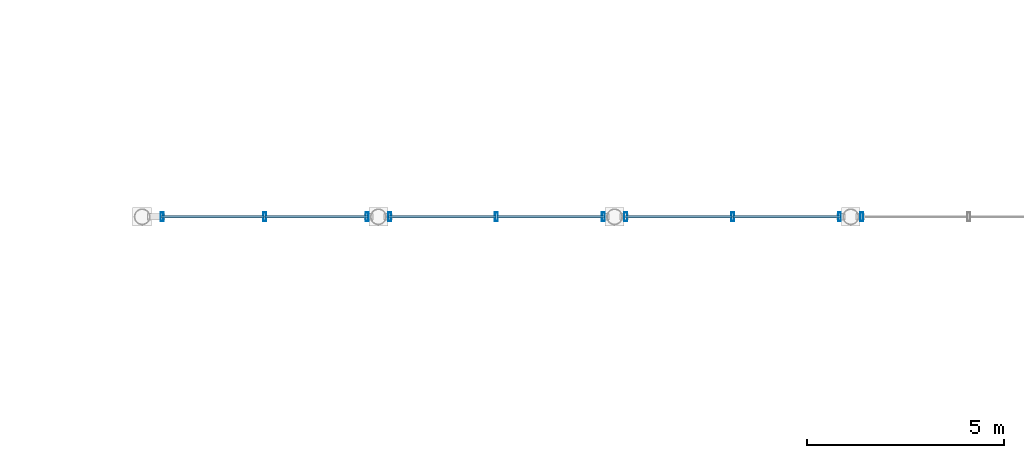
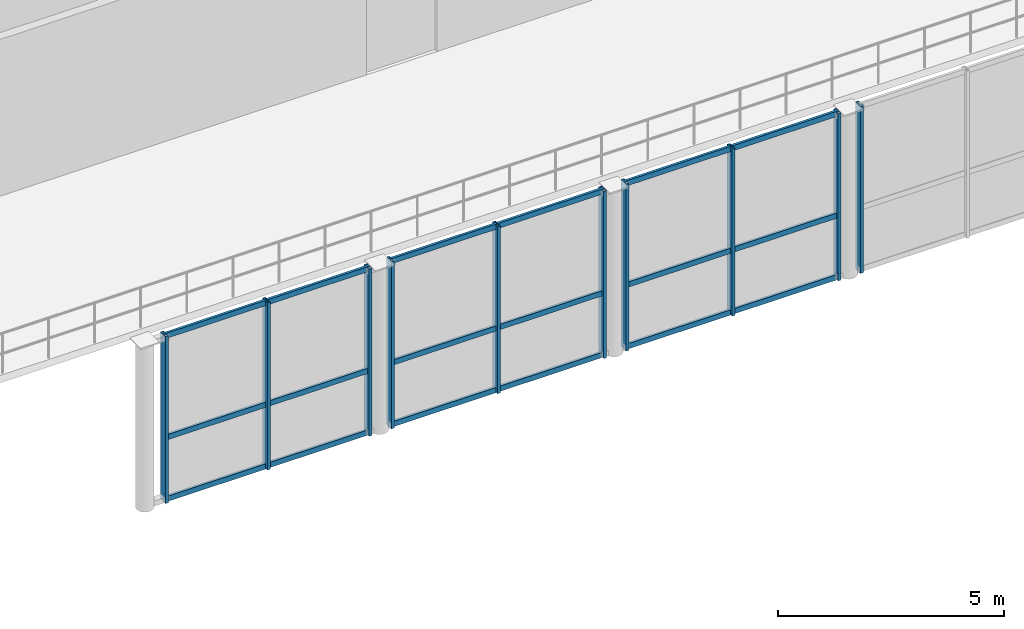
# One storey, part 18 of 116: 28 members, 4 elements without a shape of their own.
"""IFC4 building model written with IfcOpenShell, lengths in metres."""

from ifc_helpers import new_model, si_unit, direction, frame, origin, origin_2d, place, context, subcontext, project, spatial, hollow_rectangle, extrude, material, material_profile, profile_set, type_object, element, aggregate, save


model = new_model("IFC4")

# Units and contexts
model_context = context("Model", 3, precision=1e-05, world=origin(), true_north=direction((0.0, 1.0)))
body_context = subcontext(model_context, "Body", "Model", "MODEL_VIEW")
ifc_project = project(units=[si_unit("LENGTHUNIT", "METRE"), si_unit("AREAUNIT", "SQUARE_METRE"), si_unit("VOLUMEUNIT", "CUBIC_METRE"), si_unit("PLANEANGLEUNIT", "RADIAN"), si_unit("MASSUNIT", "GRAM", prefix="KILO"), si_unit("THERMODYNAMICTEMPERATUREUNIT", "KELVIN"), si_unit("POWERUNIT", "WATT")], contexts=[model_context])

# Site, building, storey
site_placement = place(None, origin())
site = spatial("IfcSite", under=ifc_project, at=site_placement, CompositionType="ELEMENT")
building_placement = place(site_placement, origin())
building = spatial("IfcBuilding", under=site, at=building_placement, Name="Phaisarnlok Congress Hotel", CompositionType="ELEMENT")
storey_placement = place(building_placement, frame((0.0, 0.0, 10.5)))
storey = spatial("IfcBuildingStorey", under=building, at=storey_placement, Name="L02", CompositionType="ELEMENT", Elevation=10.5)

# Curtain wall, members
ifc_material_1 = material(Name="Thermally Broken Unitised Aluminium & Low-E Glazing", Category="aluminium")
curtain_wall_type_1 = type_object("IfcCurtainWallType", Name="CW-UNIT-41", PredefinedType="NOTDEFINED", material=ifc_material_1)
curtain_wall_1_placement = place(storey_placement, origin())
curtain_wall_1 = element("IfcCurtainWall", 1, at=curtain_wall_1_placement, inside=storey, type_object=curtain_wall_type_1, Name="Unitised curtain wall CW-41 (L02)", PredefinedType="NOTDEFINED")
ifc_material_2 = material(Name="Anodised Aluminium Alloy 6063-T6", Category="aluminium")
ifc_material_profile_1 = material_profile(ifc_material_2, hollow_rectangle(XDim=0.074951171875, YDim=0.219970703125, WallThickness=0.0048828125, at=origin_2d()), Name="ALU-M 75x220x5")
ifc_profile_set_1 = profile_set([ifc_material_profile_1], Name="Anodised Aluminium Alloy 6063-T6")
member_type_1 = type_object("IfcMemberType", Name="CWM-220", PredefinedType="MULLION", material=ifc_profile_set_1)
member_1_placement = place(storey_placement, frame((66.5048828125, 18.0, -0.010009765625), z_axis=(0.0, 0.0, 1.0), x_axis=(1.0, 0.0, 0.0)))
member_1 = element("IfcMember", 2, at=member_1_placement, type_object=member_type_1, Name="Curtain wall mullion CWM-02", PredefinedType="MULLION", context=body_context, shape_type="SweptSolid", body=[
    extrude(hollow_rectangle(XDim=0.074951171875, YDim=0.219970703125, WallThickness=0.0048828125, at=origin_2d()), origin(), (0.0, 0.0, 1.0), 4.52001953125),
])
member_2_placement = place(storey_placement, frame((69.110107421875, 18.0, -0.010009765625), z_axis=(0.0, 0.0, 1.0), x_axis=(1.0, 0.0, 0.0)))
member_2 = element("IfcMember", 3, at=member_2_placement, type_object=member_type_1, Name="Curtain wall mullion CWM-02", PredefinedType="MULLION", context=body_context, shape_type="SweptSolid", body=[
    extrude(hollow_rectangle(XDim=0.074951171875, YDim=0.219970703125, WallThickness=0.0048828125, at=origin_2d()), origin(), (0.0, 0.0, 1.0), 4.52001953125),
])
member_3_placement = place(storey_placement, frame((71.715087890625, 18.0, -0.010009765625), z_axis=(0.0, 0.0, 1.0), x_axis=(1.0, 0.0, 0.0)))
member_3 = element("IfcMember", 4, at=member_3_placement, type_object=member_type_1, Name="Curtain wall mullion CWM-02", PredefinedType="MULLION", context=body_context, shape_type="SweptSolid", body=[
    extrude(hollow_rectangle(XDim=0.074951171875, YDim=0.219970703125, WallThickness=0.0048828125, at=origin_2d()), origin(), (0.0, 0.0, 1.0), 4.52001953125),
])

curtain_wall_type_2 = type_object("IfcCurtainWallType", Name="CW-UNIT-44", PredefinedType="NOTDEFINED", material=ifc_material_1)
curtain_wall_2_placement = place(storey_placement, origin())
curtain_wall_2 = element("IfcCurtainWall", 5, at=curtain_wall_2_placement, inside=storey, type_object=curtain_wall_type_2, Name="Unitised curtain wall CW-44 (L02)", PredefinedType="NOTDEFINED")
member_4_placement = place(storey_placement, frame((72.284912109375, 18.0, -0.010009765625), z_axis=(0.0, 0.0, 1.0), x_axis=(1.0, 0.0, 0.0)))
member_4 = element("IfcMember", 6, at=member_4_placement, type_object=member_type_1, Name="Curtain wall mullion CWM-02", PredefinedType="MULLION", context=body_context, shape_type="SweptSolid", body=[
    extrude(hollow_rectangle(XDim=0.074951171875, YDim=0.219970703125, WallThickness=0.0048828125, at=origin_2d()), origin(), (0.0, 0.0, 1.0), 4.52001953125),
])
member_5_placement = place(storey_placement, frame((75.0, 18.0, -0.010009765625), z_axis=(0.0, 0.0, 1.0), x_axis=(1.0, 0.0, 0.0)))
member_5 = element("IfcMember", 7, at=member_5_placement, type_object=member_type_1, Name="Curtain wall mullion CWM-02", PredefinedType="MULLION", context=body_context, shape_type="SweptSolid", body=[
    extrude(hollow_rectangle(XDim=0.074951171875, YDim=0.219970703125, WallThickness=0.0048828125, at=origin_2d()), origin(), (0.0, 0.0, 1.0), 4.52001953125),
])
member_6_placement = place(storey_placement, frame((77.715087890625, 18.0, -0.010009765625), z_axis=(0.0, 0.0, 1.0), x_axis=(1.0, 0.0, 0.0)))
member_6 = element("IfcMember", 8, at=member_6_placement, type_object=member_type_1, Name="Curtain wall mullion CWM-02", PredefinedType="MULLION", context=body_context, shape_type="SweptSolid", body=[
    extrude(hollow_rectangle(XDim=0.074951171875, YDim=0.219970703125, WallThickness=0.0048828125, at=origin_2d()), origin(), (0.0, 0.0, 1.0), 4.52001953125),
])

curtain_wall_3_placement = place(storey_placement, origin())
curtain_wall_3 = element("IfcCurtainWall", 9, at=curtain_wall_3_placement, inside=storey, type_object=curtain_wall_type_2, Name="Unitised curtain wall CW-44 (L02)", PredefinedType="NOTDEFINED")
member_7_placement = place(storey_placement, frame((78.284912109375, 18.0, -0.010009765625), z_axis=(0.0, 0.0, 1.0), x_axis=(1.0, 0.0, 0.0)))
member_7 = element("IfcMember", 10, at=member_7_placement, type_object=member_type_1, Name="Curtain wall mullion CWM-02", PredefinedType="MULLION", context=body_context, shape_type="SweptSolid", body=[
    extrude(hollow_rectangle(XDim=0.074951171875, YDim=0.219970703125, WallThickness=0.0048828125, at=origin_2d()), origin(), (0.0, 0.0, 1.0), 4.52001953125),
])
member_8_placement = place(storey_placement, frame((81.0, 18.0, -0.010009765625), z_axis=(0.0, 0.0, 1.0), x_axis=(1.0, 0.0, 0.0)))
member_8 = element("IfcMember", 11, at=member_8_placement, type_object=member_type_1, Name="Curtain wall mullion CWM-02", PredefinedType="MULLION", context=body_context, shape_type="SweptSolid", body=[
    extrude(hollow_rectangle(XDim=0.074951171875, YDim=0.219970703125, WallThickness=0.0048828125, at=origin_2d()), origin(), (0.0, 0.0, 1.0), 4.52001953125),
])
member_9_placement = place(storey_placement, frame((83.715087890625, 18.0, -0.010009765625), z_axis=(0.0, 0.0, 1.0), x_axis=(1.0, 0.0, 0.0)))
member_9 = element("IfcMember", 12, at=member_9_placement, type_object=member_type_1, Name="Curtain wall mullion CWM-02", PredefinedType="MULLION", context=body_context, shape_type="SweptSolid", body=[
    extrude(hollow_rectangle(XDim=0.074951171875, YDim=0.219970703125, WallThickness=0.0048828125, at=origin_2d()), origin(), (0.0, 0.0, 1.0), 4.52001953125),
])

# Curtain wall, member
curtain_wall_4_placement = place(storey_placement, origin())
curtain_wall_4 = element("IfcCurtainWall", 13, at=curtain_wall_4_placement, inside=storey, type_object=curtain_wall_type_2, Name="Unitised curtain wall CW-44 (L02)", PredefinedType="NOTDEFINED")
member_10_placement = place(storey_placement, frame((84.284912109375, 18.0, -0.010009765625), z_axis=(0.0, 0.0, 1.0), x_axis=(1.0, 0.0, 0.0)))
member_10 = element("IfcMember", 14, at=member_10_placement, type_object=member_type_1, Name="Curtain wall mullion CWM-02", PredefinedType="MULLION", context=body_context, shape_type="SweptSolid", body=[
    extrude(hollow_rectangle(XDim=0.074951171875, YDim=0.219970703125, WallThickness=0.0048828125, at=origin_2d()), origin(), (0.0, 0.0, 1.0), 4.52001953125),
])
aggregate(curtain_wall_4, [member_10])

# Member
ifc_material_profile_2 = material_profile(ifc_material_2, hollow_rectangle(XDim=0.06494140625, YDim=0.139892578125, WallThickness=0.00390625, at=origin_2d()), Name="ALU-T 65x140x4")
ifc_profile_set_2 = profile_set([ifc_material_profile_2], Name="Anodised Aluminium Alloy 6063-T6")
member_type_2 = type_object("IfcMemberType", Name="CWT-150", PredefinedType="USERDEFINED", material=ifc_profile_set_2)
member_11_placement = place(storey_placement, frame((66.47998046875, 18.0, 0.0400390625), z_axis=(1.0, 0.0, 0.0), x_axis=(0.0, 1.0, 0.0)))
member_11 = element("IfcMember", 15, at=member_11_placement, type_object=member_type_2, Name="Curtain wall transom CWT-01", ObjectType="TRANSOM", PredefinedType="USERDEFINED", context=body_context, shape_type="SweptSolid", body=[
    extrude(hollow_rectangle(XDim=0.06494140625, YDim=0.139892578125, WallThickness=0.00390625, at=origin_2d()), origin(), (0.0, 0.0, 1.0), 2.614990234375),
])

member_12_placement = place(storey_placement, frame((66.47998046875, 18.0, 1.70751953125), z_axis=(1.0, 0.0, 0.0), x_axis=(0.0, 1.0, 0.0)))
member_12 = element("IfcMember", 16, at=member_12_placement, type_object=member_type_2, Name="Curtain wall transom CWT-01", ObjectType="TRANSOM", PredefinedType="USERDEFINED", context=body_context, shape_type="SweptSolid", body=[
    extrude(hollow_rectangle(XDim=0.06494140625, YDim=0.139892578125, WallThickness=0.00390625, at=origin_2d()), origin(), (0.0, 0.0, 1.0), 2.614990234375),
])

member_13_placement = place(storey_placement, frame((66.47998046875, 18.0, 4.4599609375), z_axis=(1.0, 0.0, 0.0), x_axis=(0.0, 1.0, 0.0)))
member_13 = element("IfcMember", 17, at=member_13_placement, type_object=member_type_2, Name="Curtain wall transom CWT-01", ObjectType="TRANSOM", PredefinedType="USERDEFINED", context=body_context, shape_type="SweptSolid", body=[
    extrude(hollow_rectangle(XDim=0.06494140625, YDim=0.139892578125, WallThickness=0.00390625, at=origin_2d()), origin(), (0.0, 0.0, 1.0), 2.614990234375),
])

member_14_placement = place(storey_placement, frame((69.125, 18.0, 0.0400390625), z_axis=(1.0, 0.0, 0.0), x_axis=(0.0, 1.0, 0.0)))
member_14 = element("IfcMember", 18, at=member_14_placement, type_object=member_type_2, Name="Curtain wall transom CWT-01", ObjectType="TRANSOM", PredefinedType="USERDEFINED", context=body_context, shape_type="SweptSolid", body=[
    extrude(hollow_rectangle(XDim=0.06494140625, YDim=0.139892578125, WallThickness=0.00390625, at=origin_2d()), origin(), (0.0, 0.0, 1.0), 2.614990234375),
])

member_15_placement = place(storey_placement, frame((69.125, 18.0, 1.70751953125), z_axis=(1.0, 0.0, 0.0), x_axis=(0.0, 1.0, 0.0)))
member_15 = element("IfcMember", 19, at=member_15_placement, type_object=member_type_2, Name="Curtain wall transom CWT-01", ObjectType="TRANSOM", PredefinedType="USERDEFINED", context=body_context, shape_type="SweptSolid", body=[
    extrude(hollow_rectangle(XDim=0.06494140625, YDim=0.139892578125, WallThickness=0.00390625, at=origin_2d()), origin(), (0.0, 0.0, 1.0), 2.614990234375),
])

member_16_placement = place(storey_placement, frame((69.125, 18.0, 4.4599609375), z_axis=(1.0, 0.0, 0.0), x_axis=(0.0, 1.0, 0.0)))
member_16 = element("IfcMember", 20, at=member_16_placement, type_object=member_type_2, Name="Curtain wall transom CWT-01", ObjectType="TRANSOM", PredefinedType="USERDEFINED", context=body_context, shape_type="SweptSolid", body=[
    extrude(hollow_rectangle(XDim=0.06494140625, YDim=0.139892578125, WallThickness=0.00390625, at=origin_2d()), origin(), (0.0, 0.0, 1.0), 2.614990234375),
])

aggregate(curtain_wall_1, [member_1, member_2, member_3, member_11, member_12, member_13, member_14, member_15, member_16])

member_17_placement = place(storey_placement, frame((72.260009765625, 18.0, 0.0400390625), z_axis=(1.0, 0.0, 0.0), x_axis=(0.0, 1.0, 0.0)))
member_17 = element("IfcMember", 21, at=member_17_placement, type_object=member_type_2, Name="Curtain wall transom CWT-01", ObjectType="TRANSOM", PredefinedType="USERDEFINED", context=body_context, shape_type="SweptSolid", body=[
    extrude(hollow_rectangle(XDim=0.06494140625, YDim=0.139892578125, WallThickness=0.00390625, at=origin_2d()), origin(), (0.0, 0.0, 1.0), 2.72509765625),
])

member_18_placement = place(storey_placement, frame((72.260009765625, 18.0, 1.70751953125), z_axis=(1.0, 0.0, 0.0), x_axis=(0.0, 1.0, 0.0)))
member_18 = element("IfcMember", 22, at=member_18_placement, type_object=member_type_2, Name="Curtain wall transom CWT-01", ObjectType="TRANSOM", PredefinedType="USERDEFINED", context=body_context, shape_type="SweptSolid", body=[
    extrude(hollow_rectangle(XDim=0.06494140625, YDim=0.139892578125, WallThickness=0.00390625, at=origin_2d()), origin(), (0.0, 0.0, 1.0), 2.72509765625),
])

member_19_placement = place(storey_placement, frame((72.260009765625, 18.0, 4.4599609375), z_axis=(1.0, 0.0, 0.0), x_axis=(0.0, 1.0, 0.0)))
member_19 = element("IfcMember", 23, at=member_19_placement, type_object=member_type_2, Name="Curtain wall transom CWT-01", ObjectType="TRANSOM", PredefinedType="USERDEFINED", context=body_context, shape_type="SweptSolid", body=[
    extrude(hollow_rectangle(XDim=0.06494140625, YDim=0.139892578125, WallThickness=0.00390625, at=origin_2d()), origin(), (0.0, 0.0, 1.0), 2.72509765625),
])

member_20_placement = place(storey_placement, frame((75.014892578125, 18.0, 0.0400390625), z_axis=(1.0, 0.0, 0.0), x_axis=(0.0, 1.0, 0.0)))
member_20 = element("IfcMember", 24, at=member_20_placement, type_object=member_type_2, Name="Curtain wall transom CWT-01", ObjectType="TRANSOM", PredefinedType="USERDEFINED", context=body_context, shape_type="SweptSolid", body=[
    extrude(hollow_rectangle(XDim=0.06494140625, YDim=0.139892578125, WallThickness=0.00390625, at=origin_2d()), origin(), (0.0, 0.0, 1.0), 2.72509765625),
])

member_21_placement = place(storey_placement, frame((75.014892578125, 18.0, 1.70751953125), z_axis=(1.0, 0.0, 0.0), x_axis=(0.0, 1.0, 0.0)))
member_21 = element("IfcMember", 25, at=member_21_placement, type_object=member_type_2, Name="Curtain wall transom CWT-01", ObjectType="TRANSOM", PredefinedType="USERDEFINED", context=body_context, shape_type="SweptSolid", body=[
    extrude(hollow_rectangle(XDim=0.06494140625, YDim=0.139892578125, WallThickness=0.00390625, at=origin_2d()), origin(), (0.0, 0.0, 1.0), 2.72509765625),
])

member_22_placement = place(storey_placement, frame((75.014892578125, 18.0, 4.4599609375), z_axis=(1.0, 0.0, 0.0), x_axis=(0.0, 1.0, 0.0)))
member_22 = element("IfcMember", 26, at=member_22_placement, type_object=member_type_2, Name="Curtain wall transom CWT-01", ObjectType="TRANSOM", PredefinedType="USERDEFINED", context=body_context, shape_type="SweptSolid", body=[
    extrude(hollow_rectangle(XDim=0.06494140625, YDim=0.139892578125, WallThickness=0.00390625, at=origin_2d()), origin(), (0.0, 0.0, 1.0), 2.72509765625),
])

aggregate(curtain_wall_2, [member_4, member_5, member_6, member_17, member_18, member_19, member_20, member_21, member_22])

member_23_placement = place(storey_placement, frame((78.260009765625, 18.0, 0.0400390625), z_axis=(1.0, 0.0, 0.0), x_axis=(0.0, 1.0, 0.0)))
member_23 = element("IfcMember", 27, at=member_23_placement, type_object=member_type_2, Name="Curtain wall transom CWT-01", ObjectType="TRANSOM", PredefinedType="USERDEFINED", context=body_context, shape_type="SweptSolid", body=[
    extrude(hollow_rectangle(XDim=0.06494140625, YDim=0.139892578125, WallThickness=0.00390625, at=origin_2d()), origin(), (0.0, 0.0, 1.0), 2.72509765625),
])

member_24_placement = place(storey_placement, frame((78.260009765625, 18.0, 1.70751953125), z_axis=(1.0, 0.0, 0.0), x_axis=(0.0, 1.0, 0.0)))
member_24 = element("IfcMember", 28, at=member_24_placement, type_object=member_type_2, Name="Curtain wall transom CWT-01", ObjectType="TRANSOM", PredefinedType="USERDEFINED", context=body_context, shape_type="SweptSolid", body=[
    extrude(hollow_rectangle(XDim=0.06494140625, YDim=0.139892578125, WallThickness=0.00390625, at=origin_2d()), origin(), (0.0, 0.0, 1.0), 2.72509765625),
])

member_25_placement = place(storey_placement, frame((78.260009765625, 18.0, 4.4599609375), z_axis=(1.0, 0.0, 0.0), x_axis=(0.0, 1.0, 0.0)))
member_25 = element("IfcMember", 29, at=member_25_placement, type_object=member_type_2, Name="Curtain wall transom CWT-01", ObjectType="TRANSOM", PredefinedType="USERDEFINED", context=body_context, shape_type="SweptSolid", body=[
    extrude(hollow_rectangle(XDim=0.06494140625, YDim=0.139892578125, WallThickness=0.00390625, at=origin_2d()), origin(), (0.0, 0.0, 1.0), 2.72509765625),
])

member_26_placement = place(storey_placement, frame((81.014892578125, 18.0, 0.0400390625), z_axis=(1.0, 0.0, 0.0), x_axis=(0.0, 1.0, 0.0)))
member_26 = element("IfcMember", 30, at=member_26_placement, type_object=member_type_2, Name="Curtain wall transom CWT-01", ObjectType="TRANSOM", PredefinedType="USERDEFINED", context=body_context, shape_type="SweptSolid", body=[
    extrude(hollow_rectangle(XDim=0.06494140625, YDim=0.139892578125, WallThickness=0.00390625, at=origin_2d()), origin(), (0.0, 0.0, 1.0), 2.72509765625),
])

member_27_placement = place(storey_placement, frame((81.014892578125, 18.0, 1.70751953125), z_axis=(1.0, 0.0, 0.0), x_axis=(0.0, 1.0, 0.0)))
member_27 = element("IfcMember", 31, at=member_27_placement, type_object=member_type_2, Name="Curtain wall transom CWT-01", ObjectType="TRANSOM", PredefinedType="USERDEFINED", context=body_context, shape_type="SweptSolid", body=[
    extrude(hollow_rectangle(XDim=0.06494140625, YDim=0.139892578125, WallThickness=0.00390625, at=origin_2d()), origin(), (0.0, 0.0, 1.0), 2.72509765625),
])

member_28_placement = place(storey_placement, frame((81.014892578125, 18.0, 4.4599609375), z_axis=(1.0, 0.0, 0.0), x_axis=(0.0, 1.0, 0.0)))
member_28 = element("IfcMember", 32, at=member_28_placement, type_object=member_type_2, Name="Curtain wall transom CWT-01", ObjectType="TRANSOM", PredefinedType="USERDEFINED", context=body_context, shape_type="SweptSolid", body=[
    extrude(hollow_rectangle(XDim=0.06494140625, YDim=0.139892578125, WallThickness=0.00390625, at=origin_2d()), origin(), (0.0, 0.0, 1.0), 2.72509765625),
])

aggregate(curtain_wall_3, [member_7, member_8, member_9, member_23, member_24, member_25, member_26, member_27, member_28])

save(model, "model.ifc")
